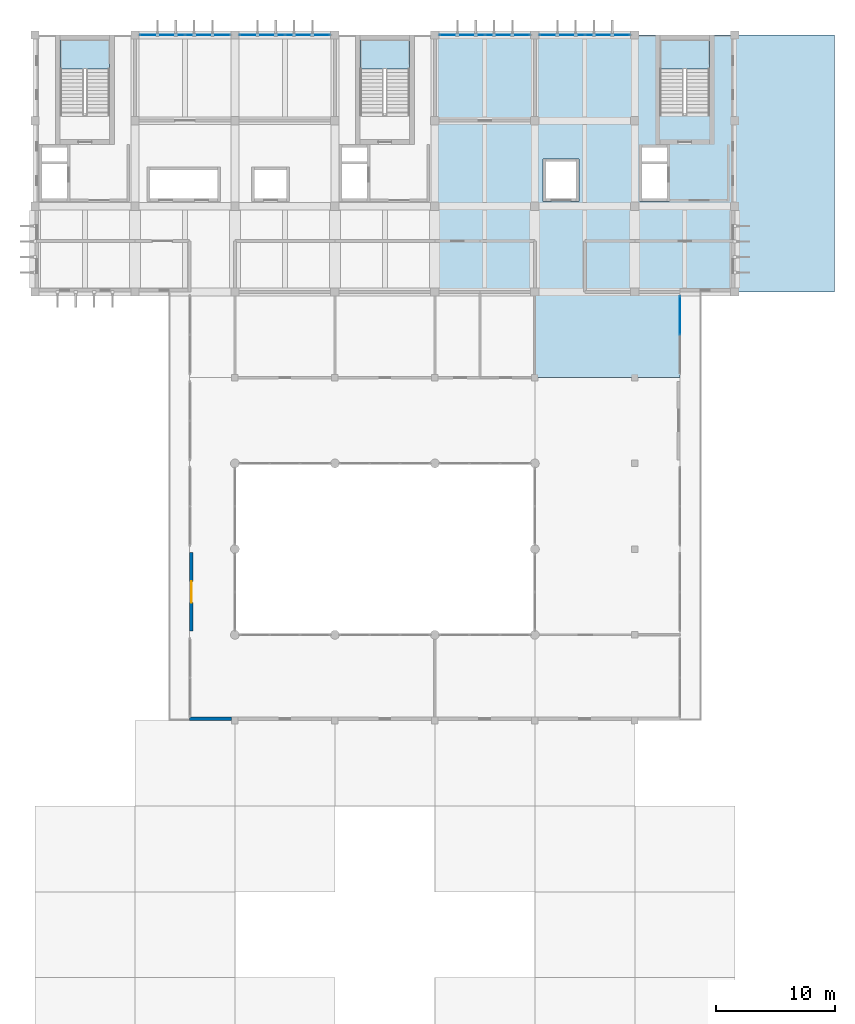
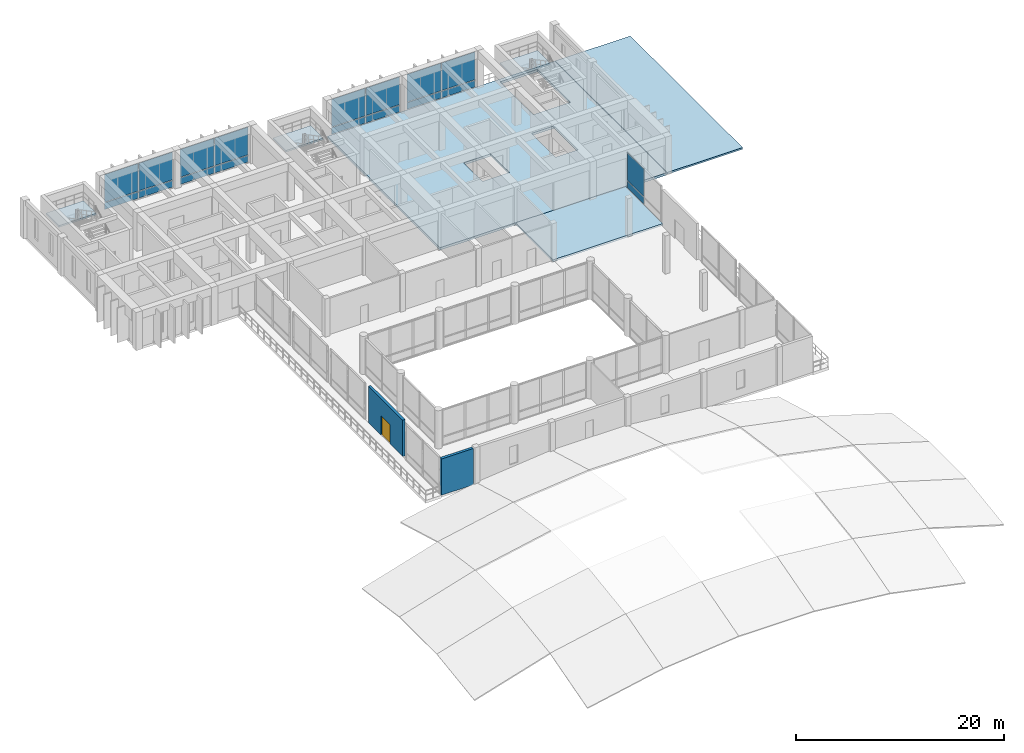
# One storey, part 10 of 17: 18 plates, 6 slabs, 2 walls, 1 door, 1 opening, 8 elements without a shape of their own.
"""IFC4 building model written with IfcOpenShell, lengths in metres."""

import ifcopenshell
import ifcopenshell.guid

model = None  # the IFC model being written
_history = None  # IfcOwnerHistory: only IFC2X3 demands one
_inside = {}  # id of a spatial element -> (the spatial element, [elements in it])
_under = {}  # id of a project, library or spatial element -> (it, [spatial elements below it])
_declared = {}  # id of a project -> (the project, [libraries it declares])
_typed = {}  # id of a type object -> (the type object, [elements of that type])
_made_of = {}  # id of a material, layer set ... -> (it, [elements and type objects made of it])


def new_model(schema):
    """Start an empty IFC model of exactly this schema.

    Asked for "IFC4X3", IfcOpenShell would pick the latest addendum, in which some entities
    have other attributes; the version numbers below select the first issue.
    IFC2X3 requires an IfcOwnerHistory on every rooted entity: one is made here for all.
    """
    global model, _history
    if schema == "IFC4X3":
        model = ifcopenshell.file(schema_version=(4, 3, 0, 0))
    else:
        model = ifcopenshell.file(schema=schema)
    _inside.clear()
    _under.clear()
    _declared.clear()
    _typed.clear()
    _made_of.clear()
    _history = None
    if model.schema == "IFC2X3":
        org = make("IfcOrganization", Name="unknown")
        user = make(
            "IfcPersonAndOrganization",
            ThePerson=make("IfcPerson", FamilyName="unknown"),
            TheOrganization=org,
        )
        app = make(
            "IfcApplication",
            ApplicationDeveloper=org,
            Version="unknown",
            ApplicationFullName="unknown",
            ApplicationIdentifier="unknown",
        )
        _history = make(
            "IfcOwnerHistory",
            OwningUser=user,
            OwningApplication=app,
            ChangeAction="ADDED",
            CreationDate=0,
        )
    return model


def make(cls, **values):
    """One entity of the class cls with the attributes given. An attribute that is None is left unset."""
    return model.create_entity(
        cls, **{name: value for name, value in values.items() if value is not None}
    )


def rooted(cls, **values):
    """An entity with a GlobalId (a new one), such as an element, a storey or a relation."""
    return make(cls, GlobalId=ifcopenshell.guid.new(), OwnerHistory=_history, **values)


def si_unit(unit_type, name, prefix=None):
    """IfcSIUnit, for example si_unit("LENGTHUNIT", "METRE", prefix="MILLI")."""
    return make("IfcSIUnit", UnitType=unit_type, Prefix=prefix, Name=name)


def assignment(units):
    """IfcUnitAssignment: the units of a project."""
    return None if units is None else make("IfcUnitAssignment", Units=units)


def point(xyz):
    """IfcCartesianPoint."""
    return None if xyz is None else make("IfcCartesianPoint", Coordinates=xyz)


def direction(xyz):
    """IfcDirection."""
    return None if xyz is None else make("IfcDirection", DirectionRatios=xyz)


def frame(location, z_axis=None, x_axis=None):
    """IfcAxis2Placement3D, a coordinate frame: its origin and axes. An axis left out is left unset."""
    return make(
        "IfcAxis2Placement3D",
        Location=point(location),
        Axis=direction(z_axis),
        RefDirection=direction(x_axis),
    )


def frame_2d(location, x_axis=None):
    """IfcAxis2Placement2D, a coordinate frame in the plane: its origin and x axis."""
    return make(
        "IfcAxis2Placement2D", Location=point(location), RefDirection=direction(x_axis)
    )


def origin():
    """The frame at (0, 0, 0) with its axes left unset."""
    return frame((0.0, 0.0, 0.0))


def origin_2d():
    """The frame at (0, 0) in the plane with its x axis left unset."""
    return frame_2d((0.0, 0.0))


def place(relative_to, where):
    """IfcLocalPlacement: puts the frame where relative to a parent placement (None: the world)."""
    return make(
        "IfcLocalPlacement", PlacementRelTo=relative_to, RelativePlacement=where
    )


def context(
    kind, dimensions, precision=None, world=None, true_north=None, identifier=None
):
    """IfcGeometricRepresentationContext, for example the 3D "Model" context."""
    return make(
        "IfcGeometricRepresentationContext",
        ContextIdentifier=identifier,
        ContextType=kind,
        CoordinateSpaceDimension=dimensions,
        Precision=precision,
        WorldCoordinateSystem=world,
        TrueNorth=true_north,
    )


def subcontext(parent, identifier, kind, view, scale=None):
    """IfcGeometricRepresentationSubContext, for example "Body" below "Model"."""
    return make(
        "IfcGeometricRepresentationSubContext",
        ContextIdentifier=identifier,
        ContextType=kind,
        ParentContext=parent,
        TargetScale=scale,
        TargetView=view,
    )


def project(units=None, contexts=None):
    """IfcProject with its units and contexts."""
    return rooted(
        "IfcProject",
        Name="project",
        RepresentationContexts=contexts,
        UnitsInContext=assignment(units),
    )


def spatial(cls, under=None, at=None, **own):
    """A site, building, storey or space (cls), placed at a placement, below another one or the project."""
    s = rooted(cls, ObjectPlacement=at, **own)
    if under is not None:
        _under.setdefault(under.id(), (under, []))[1].append(s)
    return s


def polyline(points):
    """IfcPolyline through the points."""
    return make("IfcPolyline", Points=[point(p) for p in points])


def profile(cls, at=None, kind="AREA", **sizes):
    """A parametric profile (cls). Its sizes go by their IFC names, for example OverallWidth=200.0."""
    return make(cls, ProfileType=kind, Position=at, **sizes)


def rectangle(**sizes):
    """IfcRectangleProfileDef."""
    return profile("IfcRectangleProfileDef", **sizes)


def outline(outer, holes=None, kind="AREA"):
    """IfcArbitraryClosedProfileDef: a profile drawn as a closed curve; with holes, ...WithVoids."""
    if holes is None:
        return make("IfcArbitraryClosedProfileDef", ProfileType=kind, OuterCurve=outer)
    return make(
        "IfcArbitraryProfileDefWithVoids",
        ProfileType=kind,
        OuterCurve=outer,
        InnerCurves=holes,
    )


def extrude(swept, where, along, depth):
    """IfcExtrudedAreaSolid: the profile swept, set in the frame where, extruded along a direction by depth."""
    return make(
        "IfcExtrudedAreaSolid",
        SweptArea=swept,
        Position=where,
        ExtrudedDirection=direction(along),
        Depth=depth,
    )


def shape(context_of_items, identifier, shape_type, items):
    """IfcShapeRepresentation: the items that make up one representation, for example the "Body"."""
    return make(
        "IfcShapeRepresentation",
        ContextOfItems=context_of_items,
        RepresentationIdentifier=identifier,
        RepresentationType=shape_type,
        Items=items,
    )


def material(Name=None, Category=None):
    """IfcMaterial."""
    return make("IfcMaterial", Name=Name, Category=Category)


def layer(
    of_material, thickness, ventilated=None, Name=None, Category=None, Priority=None
):
    """IfcMaterialLayer: one layer of a wall or slab, of a material (None: an air gap)."""
    return make(
        "IfcMaterialLayer",
        Material=of_material,
        LayerThickness=thickness,
        IsVentilated=ventilated,
        Name=Name,
        Category=Category,
        Priority=Priority,
    )


def layer_set(layers, Name=None):
    """IfcMaterialLayerSet."""
    return make("IfcMaterialLayerSet", MaterialLayers=layers, LayerSetName=Name)


def made_of(thing, what):
    """Note that an element or type object is made of a material, layer set ...; save() writes the relation."""
    if what is not None:
        _made_of.setdefault(what.id(), (what, []))[1].append(thing)
    return thing


def type_object(cls, material=None, **own):
    """A type object (cls), such as IfcWallType, which elements share."""
    return made_of(rooted(cls, **own), material)


def element(
    cls,
    number,
    at=None,
    inside=None,
    cuts=None,
    type_object=None,
    material=None,
    context=None,
    identifier="Body",
    shape_type=None,
    held_by="IfcProductDefinitionShape",
    body=None,
    shapes=None,
    **own,
):
    """One element of the class cls, such as IfcWall. Its Tag is "e" and its number.

    at: its placement. inside: the storey or other place that contains it. cuts: it is an
    opening in that element (IfcRelVoidsElement). A single representation is given by context,
    identifier, shape_type and body (its items); several are given by shapes. held_by: the class
    of the entity that holds the representations. save() writes the other relations.
    """
    e = rooted(cls, Tag="e%d" % number, ObjectPlacement=at, **own)
    if body is not None:
        shapes = [shape(context, identifier, shape_type, body)]
    if shapes is not None:
        e.Representation = make(held_by, Representations=shapes)
    if inside is not None:
        _inside.setdefault(inside.id(), (inside, []))[1].append(e)
    if cuts is not None:
        rooted(
            "IfcRelVoidsElement", RelatingBuildingElement=cuts, RelatedOpeningElement=e
        )
    if type_object is not None:
        _typed.setdefault(type_object.id(), (type_object, []))[1].append(e)
    return made_of(e, material)


def fill(opening, filler):
    """IfcRelFillsElement: the door or window that sits in an opening."""
    return rooted(
        "IfcRelFillsElement",
        RelatingOpeningElement=opening,
        RelatedBuildingElement=filler,
    )


def aggregate(whole, parts):
    """IfcRelAggregates: a whole, such as a stair, and the parts it consists of."""
    return rooted("IfcRelAggregates", RelatingObject=whole, RelatedObjects=parts)


def save(model, path):
    """Write the relations noted so far, then the file.

    IfcRelAggregates (storeys below a building ...), IfcRelContainedInSpatialStructure (elements
    in a storey), IfcRelDefinesByType, IfcRelAssociatesMaterial and IfcRelDeclares: one each for
    every whole, place, type object, material and project.
    """
    for whole, parts in _under.values():
        aggregate(whole, parts)
    for where, things in _inside.values():
        rooted(
            "IfcRelContainedInSpatialStructure",
            RelatedElements=things,
            RelatingStructure=where,
        )
    for kind, things in _typed.values():
        rooted("IfcRelDefinesByType", RelatedObjects=things, RelatingType=kind)
    for what, things in _made_of.values():
        rooted("IfcRelAssociatesMaterial", RelatedObjects=things, RelatingMaterial=what)
    for by, libraries in _declared.values():
        rooted("IfcRelDeclares", RelatingContext=by, RelatedDefinitions=libraries)
    model.write(path)


model = new_model("IFC4")

# Units and contexts
model_context = context("Model", 3, precision=1e-05, world=origin(), true_north=direction((0.0, 1.0)))
body_context = subcontext(model_context, "Body", "Model", "MODEL_VIEW")
ifc_project = project(units=[si_unit("LENGTHUNIT", "METRE"), si_unit("AREAUNIT", "SQUARE_METRE"), si_unit("VOLUMEUNIT", "CUBIC_METRE"), si_unit("PLANEANGLEUNIT", "RADIAN"), si_unit("MASSUNIT", "GRAM", prefix="KILO")], contexts=[model_context])

# Site, building, storey
site_placement = place(None, origin())
site = spatial("IfcSite", under=ifc_project, at=site_placement, CompositionType="ELEMENT")
building_placement = place(site_placement, origin())
building = spatial("IfcBuilding", under=site, at=building_placement, Name="Kenerak Square Central Library", CompositionType="ELEMENT")
storey_placement = place(building_placement, frame((0.0, 0.0, 23.360107421875)))
storey = spatial("IfcBuildingStorey", under=building, at=storey_placement, Name="L05", CompositionType="ELEMENT", Elevation=23.360107421875)

# Slabs
ifc_material_1 = material(Name="Concrete C40/50", Category="concrete")
ifc_layer_1 = layer(ifc_material_1, 0.22509765625)
ifc_layer_set_1 = layer_set([ifc_layer_1], Name="Concrete C40/50")
slab_type_1 = type_object("IfcSlabType", Name="General Reading Room Slab FS-225 C40/50", PredefinedType="FLOOR", material=ifc_layer_set_1)
slab_1_placement = place(storey_placement, frame((0.0, 0.0, -0.22509765625)))
element("IfcSlab", 1, at=slab_1_placement, inside=storey, type_object=slab_type_1, Name="V4 Floor Slab L05 059", PredefinedType="FLOOR", context=body_context, shape_type="SweptSolid", body=[
    extrude(outline(polyline([(100.39990234375, 81.60009765625), (100.39990234375, 88.800048828125), (112.60009765625, 88.800048828125), (112.60009765625, 81.60009765625), (100.39990234375, 81.60009765625)])), origin(), (0.0, 0.0, 1.0), 0.22509765625),
])
ifc_layer_2 = layer(ifc_material_1, 0.199951171875)
ifc_layer_set_2 = layer_set([ifc_layer_2], Name="Concrete C40/50")
slab_type_2 = type_object("IfcSlabType", Name="Heavyweight Stack Flat Roof Slab RS-200 C40/50", PredefinedType="ROOF", material=ifc_layer_set_2)
slab_2_placement = place(storey_placement, frame((0.0, 0.0, -0.2001953125)))
element("IfcSlab", 2, at=slab_2_placement, inside=storey, type_object=slab_type_2, Name="Stepped Stack Roof V5-L05-E", PredefinedType="ROOF", context=body_context, shape_type="SweptSolid", body=[
    extrude(outline(polyline([(117.25, 88.800048828125), (125.60009765625, 88.800048828125), (125.60009765625, 110.39990234375), (117.25, 110.39990234375), (117.25, 88.800048828125)])), origin(), (0.0, 0.0, 1.0), 0.2001953125),
])

# Curtain wall, plates
ifc_material_2 = material(Name="Anodised aluminium and solar-control low-E glazing", Category="aluminium")
curtain_wall_type_1 = type_object("IfcCurtainWallType", Name="Curtain Wall CW-V4-66x42 6600x4255", PredefinedType="USERDEFINED", material=ifc_material_2)
curtain_wall_1_placement = place(storey_placement, origin())
curtain_wall_1 = element("IfcCurtainWall", 3, at=curtain_wall_1_placement, inside=storey, type_object=curtain_wall_type_1, Name="Curtain Wall CW-V4-66x42 L05 0159", ObjectType="CURTAIN WALL", PredefinedType="USERDEFINED")
ifc_material_3 = material(Name="Solar-control low-E laminated double glazing", Category="glass")
ifc_layer_3 = layer(ifc_material_3, 0.02392578125)
ifc_layer_set_3 = layer_set([ifc_layer_3], Name="Solar-control low-E laminated double glazing")
plate_type_1 = type_object("IfcPlateType", Name="Low-E Double Glazed Curtain Panel CP-24", PredefinedType="CURTAIN_PANEL", material=ifc_layer_set_3)
plate_1_placement = place(storey_placement, frame((112.60009765625, 86.833740234375, 0.06494140625), z_axis=(0.0, 0.0, 1.0), x_axis=(0.0, -1.0, 0.0)))
plate_1 = element("IfcPlate", 4, at=plate_1_placement, type_object=plate_type_1, Name="CW-V4-66x42 Panel 1.1", PredefinedType="CURTAIN_PANEL", context=body_context, shape_type="SweptSolid", body=[
    extrude(rectangle(XDim=3.202392578125, YDim=0.02392578125, at=origin_2d()), origin(), (0.0, 0.0, 1.0), 0.802490234375),
])
plate_2_placement = place(storey_placement, frame((112.60009765625, 86.833740234375, 0.93212890625), z_axis=(0.0, 0.0, 1.0), x_axis=(0.0, -1.0, 0.0)))
plate_2 = element("IfcPlate", 5, at=plate_2_placement, type_object=plate_type_1, Name="CW-V4-66x42 Panel 1.2", PredefinedType="CURTAIN_PANEL", context=body_context, shape_type="SweptSolid", body=[
    extrude(rectangle(XDim=3.202392578125, YDim=0.02392578125, at=origin_2d()), origin(), (0.0, 0.0, 1.0), 3.257568359375),
])
aggregate(curtain_wall_1, [plate_1, plate_2])

# Slab
ifc_layer_4 = layer(ifc_material_1, 0.27490234375)
ifc_layer_set_4 = layer_set([ifc_layer_4], Name="Concrete C40/50")
slab_type_3 = type_object("IfcSlabType", Name="Open Book-Stack Slab FS-275 C40/50", PredefinedType="FLOOR", material=ifc_layer_set_4)
slab_3_placement = place(storey_placement, frame((0.0, 0.0, -0.275146484375)))
element("IfcSlab", 6, at=slab_3_placement, inside=storey, type_object=slab_type_3, Name="V5 Floor Slab L05 094", PredefinedType="FLOOR", context=body_context, shape_type="SweptSolid", body=[
    extrude(outline(polyline([(92.0, 88.800048828125), (92.0, 110.39990234375), (117.199951171875, 110.39990234375), (117.199951171875, 88.800048828125), (92.0, 88.800048828125)]), holes=[polyline([(115.080078125, 103.64990234375), (115.080078125, 110.0), (110.919921875, 110.0), (110.919921875, 103.64990234375), (115.080078125, 103.64990234375)]), polyline([(109.199951171875, 96.39990234375), (111.699951171875, 96.39990234375), (111.699951171875, 101.0), (109.199951171875, 101.0), (109.199951171875, 96.39990234375)]), polyline([(101.10009765625, 96.39990234375), (104.10009765625, 96.39990234375), (104.10009765625, 100.0), (101.10009765625, 100.0), (101.10009765625, 96.39990234375)])]), origin(), (0.0, 0.0, 1.0), 0.275146484375),
])

# Stair, slab
stair_type = type_object("IfcStairType", Name="Exit Dogleg Stair ST-448 C40/50", PredefinedType="HALF_TURN_STAIR", material=ifc_material_1)
stair_1_placement = place(storey_placement, origin())
stair_1 = element("IfcStair", 7, at=stair_1_placement, inside=storey, type_object=stair_type, Name="L05 Protected Exit Stair ST-01", PredefinedType="HALF_TURN_STAIR")
ifc_layer_5 = layer(ifc_material_1, 0.199951171875)
ifc_layer_set_5 = layer_set([ifc_layer_5], Name="Concrete C40/50")
slab_type_4 = type_object("IfcSlabType", Name="Stair Half-Landing Slab LD-200 C40/50", PredefinedType="LANDING", material=ifc_layer_set_5)
slab_4_placement = place(storey_placement, frame((0.0, 0.0, 2.039794921875)))
slab_4 = element("IfcSlab", 8, at=slab_4_placement, type_object=slab_type_4, Name="ST-01 Landing 1", PredefinedType="LANDING", context=body_context, shape_type="SweptSolid", body=[
    extrude(outline(polyline([(64.679931640625, 107.550048828125), (64.679931640625, 110.0), (60.52001953125, 110.0), (60.52001953125, 107.550048828125), (64.679931640625, 107.550048828125)])), origin(), (0.0, 0.0, 1.0), 0.2001953125),
])
aggregate(stair_1, [slab_4])

stair_2_placement = place(storey_placement, origin())
stair_2 = element("IfcStair", 9, at=stair_2_placement, inside=storey, type_object=stair_type, Name="L05 Protected Exit Stair ST-02", PredefinedType="HALF_TURN_STAIR")
slab_5_placement = place(storey_placement, frame((0.0, 0.0, 2.039794921875)))
slab_5 = element("IfcSlab", 10, at=slab_5_placement, type_object=slab_type_4, Name="ST-02 Landing 1", PredefinedType="LANDING", context=body_context, shape_type="SweptSolid", body=[
    extrude(outline(polyline([(89.8798828125, 107.550048828125), (89.8798828125, 110.0), (85.719970703125, 110.0), (85.719970703125, 107.550048828125), (89.8798828125, 107.550048828125)])), origin(), (0.0, 0.0, 1.0), 0.2001953125),
])
aggregate(stair_2, [slab_5])

stair_3_placement = place(storey_placement, origin())
stair_3 = element("IfcStair", 11, at=stair_3_placement, inside=storey, type_object=stair_type, Name="L05 Protected Exit Stair ST-03", PredefinedType="HALF_TURN_STAIR")
slab_6_placement = place(storey_placement, frame((0.0, 0.0, 2.039794921875)))
slab_6 = element("IfcSlab", 12, at=slab_6_placement, type_object=slab_type_4, Name="ST-03 Landing 1", PredefinedType="LANDING", context=body_context, shape_type="SweptSolid", body=[
    extrude(outline(polyline([(115.080078125, 107.550048828125), (115.080078125, 110.0), (110.919921875, 110.0), (110.919921875, 107.550048828125), (115.080078125, 107.550048828125)])), origin(), (0.0, 0.0, 1.0), 0.2001953125),
])
aggregate(stair_3, [slab_6])

# Curtain wall, plates
curtain_wall_type_2 = type_object("IfcCurtainWallType", Name="Curtain Wall CW-V5-77x42 7700x4255", PredefinedType="USERDEFINED", material=ifc_material_2)
curtain_wall_2_placement = place(storey_placement, origin())
curtain_wall_2 = element("IfcCurtainWall", 13, at=curtain_wall_2_placement, inside=storey, type_object=curtain_wall_type_2, Name="Curtain Wall CW-V5-77x42 L05 0155", ObjectType="CURTAIN WALL", PredefinedType="USERDEFINED")
ifc_material_4 = material(Name="UV-filtered low-E laminated glazing", Category="glass")
ifc_layer_6 = layer(ifc_material_4, 0.035888671875)
ifc_layer_set_6 = layer_set([ifc_layer_6], Name="UV-filtered low-E laminated glazing")
plate_type_2 = type_object("IfcPlateType", Name="UV-Filtered Archive Glazing Panel CP-36", PredefinedType="CURTAIN_PANEL", material=ifc_layer_set_6)
plate_3_placement = place(storey_placement, frame((69.09375, 110.39990234375, 0.074951171875), z_axis=(0.0, 0.0, 1.0), x_axis=(1.0, 0.0, 0.0)))
plate_3 = element("IfcPlate", 14, at=plate_3_placement, type_object=plate_type_2, Name="CW-V5-77x42 Panel 1.1", PredefinedType="CURTAIN_PANEL", context=body_context, shape_type="SweptSolid", body=[
    extrude(rectangle(XDim=3.737548828125, YDim=0.035888671875, at=origin_2d()), origin(), (0.0, 0.0, 1.0), 0.78759765625),
])
plate_4_placement = place(storey_placement, frame((69.09375, 110.39990234375, 0.9375), z_axis=(0.0, 0.0, 1.0), x_axis=(1.0, 0.0, 0.0)))
plate_4 = element("IfcPlate", 15, at=plate_4_placement, type_object=plate_type_2, Name="CW-V5-77x42 Panel 1.2", PredefinedType="CURTAIN_PANEL", context=body_context, shape_type="SweptSolid", body=[
    extrude(rectangle(XDim=3.737548828125, YDim=0.035888671875, at=origin_2d()), origin(), (0.0, 0.0, 1.0), 3.242431640625),
])
plate_5_placement = place(storey_placement, frame((72.90625, 110.39990234375, 0.074951171875), z_axis=(0.0, 0.0, 1.0), x_axis=(1.0, 0.0, 0.0)))
plate_5 = element("IfcPlate", 16, at=plate_5_placement, type_object=plate_type_2, Name="CW-V5-77x42 Panel 2.1", PredefinedType="CURTAIN_PANEL", context=body_context, shape_type="SweptSolid", body=[
    extrude(rectangle(XDim=3.737548828125, YDim=0.035888671875, at=origin_2d()), origin(), (0.0, 0.0, 1.0), 0.78759765625),
])
plate_6_placement = place(storey_placement, frame((72.90625, 110.39990234375, 0.9375), z_axis=(0.0, 0.0, 1.0), x_axis=(1.0, 0.0, 0.0)))
plate_6 = element("IfcPlate", 17, at=plate_6_placement, type_object=plate_type_2, Name="CW-V5-77x42 Panel 2.2", PredefinedType="CURTAIN_PANEL", context=body_context, shape_type="SweptSolid", body=[
    extrude(rectangle(XDim=3.737548828125, YDim=0.035888671875, at=origin_2d()), origin(), (0.0, 0.0, 1.0), 3.242431640625),
])
aggregate(curtain_wall_2, [plate_3, plate_4, plate_5, plate_6])

curtain_wall_3_placement = place(storey_placement, origin())
curtain_wall_3 = element("IfcCurtainWall", 18, at=curtain_wall_3_placement, inside=storey, type_object=curtain_wall_type_2, Name="Curtain Wall CW-V5-77x42 L05 0156", ObjectType="CURTAIN WALL", PredefinedType="USERDEFINED")
plate_7_placement = place(storey_placement, frame((77.49365234375, 110.39990234375, 0.074951171875), z_axis=(0.0, 0.0, 1.0), x_axis=(1.0, 0.0, 0.0)))
plate_7 = element("IfcPlate", 19, at=plate_7_placement, type_object=plate_type_2, Name="CW-V5-77x42 Panel 1.1", PredefinedType="CURTAIN_PANEL", context=body_context, shape_type="SweptSolid", body=[
    extrude(rectangle(XDim=3.737548828125, YDim=0.035888671875, at=origin_2d()), origin(), (0.0, 0.0, 1.0), 0.78759765625),
])
plate_8_placement = place(storey_placement, frame((77.49365234375, 110.39990234375, 0.9375), z_axis=(0.0, 0.0, 1.0), x_axis=(1.0, 0.0, 0.0)))
plate_8 = element("IfcPlate", 20, at=plate_8_placement, type_object=plate_type_2, Name="CW-V5-77x42 Panel 1.2", PredefinedType="CURTAIN_PANEL", context=body_context, shape_type="SweptSolid", body=[
    extrude(rectangle(XDim=3.737548828125, YDim=0.035888671875, at=origin_2d()), origin(), (0.0, 0.0, 1.0), 3.242431640625),
])
plate_9_placement = place(storey_placement, frame((81.30615234375, 110.39990234375, 0.074951171875), z_axis=(0.0, 0.0, 1.0), x_axis=(1.0, 0.0, 0.0)))
plate_9 = element("IfcPlate", 21, at=plate_9_placement, type_object=plate_type_2, Name="CW-V5-77x42 Panel 2.1", PredefinedType="CURTAIN_PANEL", context=body_context, shape_type="SweptSolid", body=[
    extrude(rectangle(XDim=3.737548828125, YDim=0.035888671875, at=origin_2d()), origin(), (0.0, 0.0, 1.0), 0.78759765625),
])
plate_10_placement = place(storey_placement, frame((81.30615234375, 110.39990234375, 0.9375), z_axis=(0.0, 0.0, 1.0), x_axis=(1.0, 0.0, 0.0)))
plate_10 = element("IfcPlate", 22, at=plate_10_placement, type_object=plate_type_2, Name="CW-V5-77x42 Panel 2.2", PredefinedType="CURTAIN_PANEL", context=body_context, shape_type="SweptSolid", body=[
    extrude(rectangle(XDim=3.737548828125, YDim=0.035888671875, at=origin_2d()), origin(), (0.0, 0.0, 1.0), 3.242431640625),
])
aggregate(curtain_wall_3, [plate_7, plate_8, plate_9, plate_10])

curtain_wall_4_placement = place(storey_placement, origin())
curtain_wall_4 = element("IfcCurtainWall", 23, at=curtain_wall_4_placement, inside=storey, type_object=curtain_wall_type_2, Name="Curtain Wall CW-V5-77x42 L05 0157", ObjectType="CURTAIN WALL", PredefinedType="USERDEFINED")
plate_11_placement = place(storey_placement, frame((94.293701171875, 110.39990234375, 0.074951171875), z_axis=(0.0, 0.0, 1.0), x_axis=(1.0, 0.0, 0.0)))
plate_11 = element("IfcPlate", 24, at=plate_11_placement, type_object=plate_type_2, Name="CW-V5-77x42 Panel 1.1", PredefinedType="CURTAIN_PANEL", context=body_context, shape_type="SweptSolid", body=[
    extrude(rectangle(XDim=3.737548828125, YDim=0.035888671875, at=origin_2d()), origin(), (0.0, 0.0, 1.0), 0.78759765625),
])
plate_12_placement = place(storey_placement, frame((94.293701171875, 110.39990234375, 0.9375), z_axis=(0.0, 0.0, 1.0), x_axis=(1.0, 0.0, 0.0)))
plate_12 = element("IfcPlate", 25, at=plate_12_placement, type_object=plate_type_2, Name="CW-V5-77x42 Panel 1.2", PredefinedType="CURTAIN_PANEL", context=body_context, shape_type="SweptSolid", body=[
    extrude(rectangle(XDim=3.737548828125, YDim=0.035888671875, at=origin_2d()), origin(), (0.0, 0.0, 1.0), 3.242431640625),
])
plate_13_placement = place(storey_placement, frame((98.106201171875, 110.39990234375, 0.074951171875), z_axis=(0.0, 0.0, 1.0), x_axis=(1.0, 0.0, 0.0)))
plate_13 = element("IfcPlate", 26, at=plate_13_placement, type_object=plate_type_2, Name="CW-V5-77x42 Panel 2.1", PredefinedType="CURTAIN_PANEL", context=body_context, shape_type="SweptSolid", body=[
    extrude(rectangle(XDim=3.737548828125, YDim=0.035888671875, at=origin_2d()), origin(), (0.0, 0.0, 1.0), 0.78759765625),
])
plate_14_placement = place(storey_placement, frame((98.106201171875, 110.39990234375, 0.9375), z_axis=(0.0, 0.0, 1.0), x_axis=(1.0, 0.0, 0.0)))
plate_14 = element("IfcPlate", 27, at=plate_14_placement, type_object=plate_type_2, Name="CW-V5-77x42 Panel 2.2", PredefinedType="CURTAIN_PANEL", context=body_context, shape_type="SweptSolid", body=[
    extrude(rectangle(XDim=3.737548828125, YDim=0.035888671875, at=origin_2d()), origin(), (0.0, 0.0, 1.0), 3.242431640625),
])
aggregate(curtain_wall_4, [plate_11, plate_12, plate_13, plate_14])

curtain_wall_5_placement = place(storey_placement, origin())
curtain_wall_5 = element("IfcCurtainWall", 28, at=curtain_wall_5_placement, inside=storey, type_object=curtain_wall_type_2, Name="Curtain Wall CW-V5-77x42 L05 0158", ObjectType="CURTAIN WALL", PredefinedType="USERDEFINED")
plate_15_placement = place(storey_placement, frame((102.69384765625, 110.39990234375, 0.074951171875), z_axis=(0.0, 0.0, 1.0), x_axis=(1.0, 0.0, 0.0)))
plate_15 = element("IfcPlate", 29, at=plate_15_placement, type_object=plate_type_2, Name="CW-V5-77x42 Panel 1.1", PredefinedType="CURTAIN_PANEL", context=body_context, shape_type="SweptSolid", body=[
    extrude(rectangle(XDim=3.737548828125, YDim=0.035888671875, at=origin_2d()), origin(), (0.0, 0.0, 1.0), 0.78759765625),
])
plate_16_placement = place(storey_placement, frame((102.69384765625, 110.39990234375, 0.9375), z_axis=(0.0, 0.0, 1.0), x_axis=(1.0, 0.0, 0.0)))
plate_16 = element("IfcPlate", 30, at=plate_16_placement, type_object=plate_type_2, Name="CW-V5-77x42 Panel 1.2", PredefinedType="CURTAIN_PANEL", context=body_context, shape_type="SweptSolid", body=[
    extrude(rectangle(XDim=3.737548828125, YDim=0.035888671875, at=origin_2d()), origin(), (0.0, 0.0, 1.0), 3.242431640625),
])
plate_17_placement = place(storey_placement, frame((106.50634765625, 110.39990234375, 0.074951171875), z_axis=(0.0, 0.0, 1.0), x_axis=(1.0, 0.0, 0.0)))
plate_17 = element("IfcPlate", 31, at=plate_17_placement, type_object=plate_type_2, Name="CW-V5-77x42 Panel 2.1", PredefinedType="CURTAIN_PANEL", context=body_context, shape_type="SweptSolid", body=[
    extrude(rectangle(XDim=3.737548828125, YDim=0.035888671875, at=origin_2d()), origin(), (0.0, 0.0, 1.0), 0.78759765625),
])
plate_18_placement = place(storey_placement, frame((106.50634765625, 110.39990234375, 0.9375), z_axis=(0.0, 0.0, 1.0), x_axis=(1.0, 0.0, 0.0)))
plate_18 = element("IfcPlate", 32, at=plate_18_placement, type_object=plate_type_2, Name="CW-V5-77x42 Panel 2.2", PredefinedType="CURTAIN_PANEL", context=body_context, shape_type="SweptSolid", body=[
    extrude(rectangle(XDim=3.737548828125, YDim=0.035888671875, at=origin_2d()), origin(), (0.0, 0.0, 1.0), 3.242431640625),
])
aggregate(curtain_wall_5, [plate_15, plate_16, plate_17, plate_18])

# Wall
ifc_layer_7 = layer(ifc_material_1, 0.300048828125)
ifc_layer_set_7 = layer_set([ifc_layer_7], Name="Concrete C40/50")
wall_type_1 = type_object("IfcWallType", Name="Board-Marked Brutalist Facade Wall EW-300 C40/50", PredefinedType="SOLIDWALL", material=ifc_layer_set_7)
wall_1_placement = place(storey_placement, frame((74.925048828125, 52.949951171875, 0.0), z_axis=(0.0, 0.0, 1.0), x_axis=(-1.0, 0.0, 0.0)))
element("IfcWall", 33, at=wall_1_placement, inside=storey, type_object=wall_type_1, Name="Exterior Facade Wall L05 0246", PredefinedType="SOLIDWALL", context=body_context, shape_type="SweptSolid", body=[
    extrude(rectangle(XDim=3.525146484375, YDim=0.300048828125, at=frame_2d((1.7626953125, 0.0))), origin(), (0.0, 0.0, 1.0), 4.2548828125),
])

# Wall, opening, door
ifc_material_5 = material(Name="Precast concrete C40/50", Category="concrete")
ifc_layer_8 = layer(ifc_material_5, 0.27490234375)
ifc_layer_set_8 = layer_set([ifc_layer_8], Name="Precast concrete C40/50")
wall_type_2 = type_object("IfcWallType", Name="Insulated Precast Spandrel Wall SPW-275 C40/50", PredefinedType="SOLIDWALL", material=ifc_layer_set_8)
wall_2_placement = place(storey_placement, frame((71.53759765625, 60.300048828125, 0.0), z_axis=(0.0, 0.0, 1.0), x_axis=(0.0, 1.0, 0.0)))
wall_2 = element("IfcWall", 34, at=wall_2_placement, inside=storey, type_object=wall_type_2, Name="Exterior Facade Wall L05 0247", PredefinedType="SOLIDWALL", context=body_context, shape_type="SweptSolid", body=[
    extrude(rectangle(XDim=6.599853515625, YDim=0.27490234375, at=frame_2d((3.2998046875, 0.0))), origin(), (0.0, 0.0, 1.0), 4.2548828125),
])
opening_placement = place(wall_2_placement, frame((2.39990234375, 0.0, 0.0)))
opening = element("IfcOpeningElement", 35, at=opening_placement, cuts=wall_2, Name="Opening TD-01", PredefinedType="OPENING", context=body_context, shape_type="SweptSolid", body=[
    extrude(rectangle(XDim=1.800048828125, YDim=2.25, at=frame_2d((0.89990234375, 1.125))), frame((0.0, 0.1474609375, 0.0), z_axis=(0.0, -1.0, 0.0), x_axis=(1.0, 0.0, 0.0)), (0.0, 0.0, 1.0), 0.294921875),
])
ifc_material_6 = material(Name="Anodised aluminium and laminated glass", Category="aluminium")
door_type = type_object("IfcDoorType", Name="Planted Reading Terrace Double Door TD-1800x2250", OperationType="NOTDEFINED", PredefinedType="DOOR", material=ifc_material_6)
door_placement = place(opening_placement, origin())
door = element("IfcDoor", 36, at=door_placement, inside=storey, type_object=door_type, Name="Upper West Reading Terrace L05 Access Door", OperationType="DOUBLE_DOOR_SINGLE_SWING", OverallHeight=2.25, OverallWidth=1.800048828125, PredefinedType="DOOR", context=body_context, shape_type="SweptSolid", body=[
    extrude(rectangle(XDim=1.800048828125, YDim=2.25, at=frame_2d((0.89990234375, 1.125))), frame((0.0, 0.02490234375, 0.0), z_axis=(0.0, -1.0, 0.0), x_axis=(1.0, 0.0, 0.0)), (0.0, 0.0, 1.0), 0.050048828125),
])
fill(opening, door)

save(model, "model.ifc")
